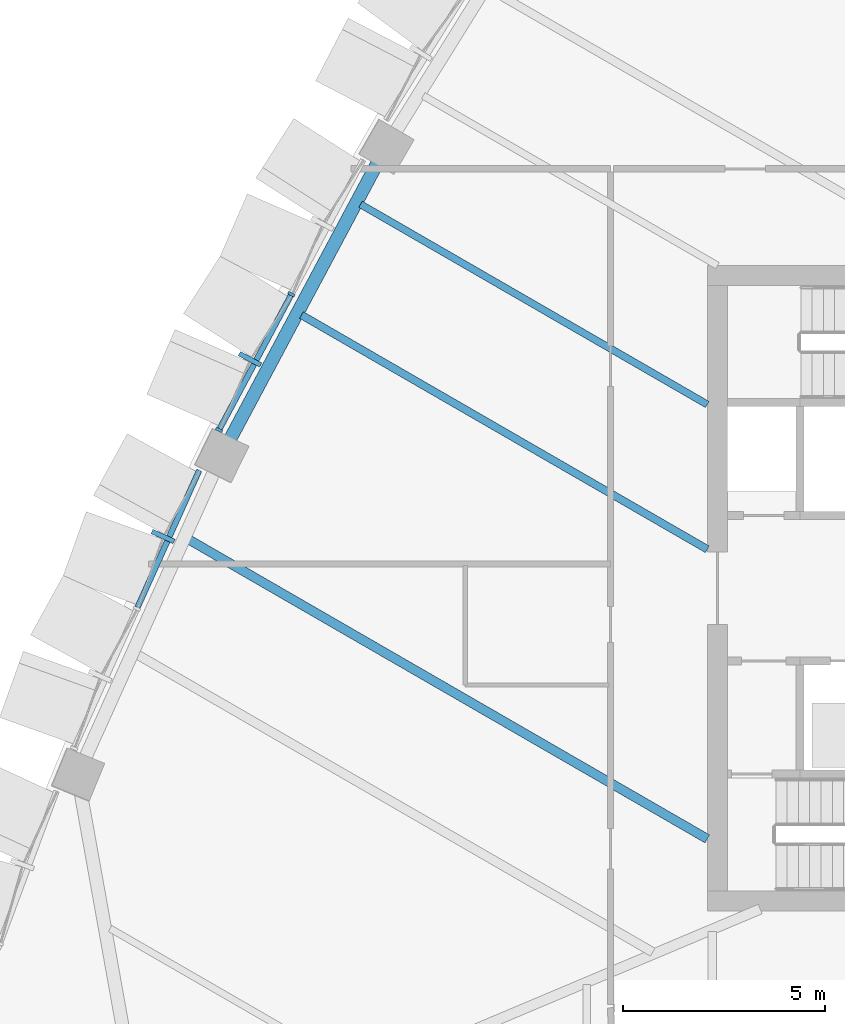
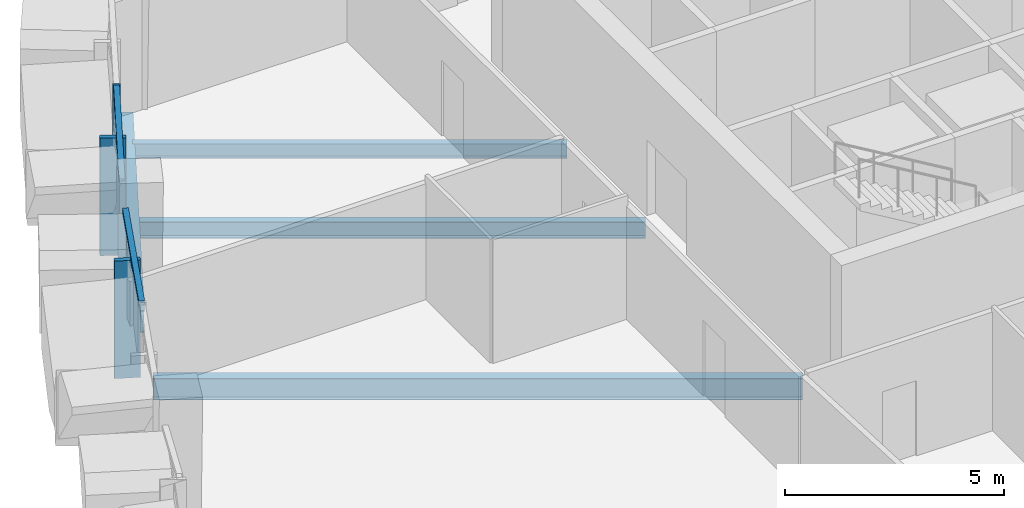
# One storey, part 3 of 18: 6 members, 4 beams, 2 elements without a shape of their own.
"""IFC4 building model written with IfcOpenShell, lengths in metres."""

from ifc_helpers import new_model, si_unit, direction, frame, origin, origin_2d, place, context, subcontext, project, spatial, rectangle, i_section, extrude, material, layer, layer_set, material_profile, profile_set, type_object, element, aggregate, save


model = new_model("IFC4")

# Units and contexts
model_context = context("Model", 3, precision=1e-05, world=origin(), true_north=direction((0.0, 1.0)))
body_context = subcontext(model_context, "Body", "Model", "MODEL_VIEW")
ifc_project = project(units=[si_unit("LENGTHUNIT", "METRE"), si_unit("AREAUNIT", "SQUARE_METRE"), si_unit("VOLUMEUNIT", "CUBIC_METRE"), si_unit("PLANEANGLEUNIT", "RADIAN"), si_unit("MASSUNIT", "GRAM", prefix="KILO")], contexts=[model_context])

# Site, building, storey
site_placement = place(None, origin())
site = spatial("IfcSite", under=ifc_project, at=site_placement, CompositionType="ELEMENT")
building_placement = place(site_placement, origin())
building = spatial("IfcBuilding", under=site, at=building_placement, Name="Sierra Prisma Convention Tower", CompositionType="ELEMENT")
storey_placement = place(building_placement, frame((0.0, 0.0, 133.800048828125)))
storey = spatial("IfcBuildingStorey", under=building, at=storey_placement, Name="L28", CompositionType="ELEMENT", Elevation=133.800048828125)

# Curtain wall, member
ifc_material_1 = material(Name="Aluminium and glass curtain wall", Category="aluminium")
ifc_layer = layer(ifc_material_1, 0.179931640625)
ifc_layer_set = layer_set([ifc_layer], Name="CW-2 Faceted crystal curtain wall")
curtain_wall_type = type_object("IfcCurtainWallType", Name="CW-2 Faceted crystal curtain wall", PredefinedType="NOTDEFINED", material=ifc_layer_set)
curtain_wall_1_placement = place(storey_placement, origin())
curtain_wall_1 = element("IfcCurtainWall", 1, at=curtain_wall_1_placement, inside=storey, type_object=curtain_wall_type, Name="CW-2 NW4 L28", PredefinedType="NOTDEFINED")
ifc_material_2 = material(Name="Aluminium 6063-T6 bronze anodised", Category="aluminium")
ifc_material_profile_1 = material_profile(ifc_material_2, rectangle(XDim=0.1201171875, YDim=0.60009765625, at=origin_2d()), Name="ALU RIDGE BLADE 120x600")
ifc_profile_set_1 = profile_set([ifc_material_profile_1], Name="Aluminium 6063-T6 bronze anodised")
member_type_1 = type_object("IfcMemberType", Name="CW hip bronze", PredefinedType="MULLION", material=ifc_profile_set_1)
member_1_placement = place(storey_placement, frame((-22.3369140625, 5.67578125, 0.0), z_axis=(0.0, 0.0, 1.0), x_axis=(-0.470728465167, -0.882278137597, 0.0)))
member_1 = element("IfcMember", 2, at=member_1_placement, type_object=member_type_1, Name="CW-2 ridge NW4.2", PredefinedType="MULLION", context=body_context, shape_type="SweptSolid", body=[
    extrude(rectangle(XDim=0.1201171875, YDim=0.60009765625, at=origin_2d()), origin(), (0.0, 0.0, 1.0), 3.280029296875),
])

curtain_wall_2_placement = place(storey_placement, origin())
curtain_wall_2 = element("IfcCurtainWall", 3, at=curtain_wall_2_placement, inside=storey, type_object=curtain_wall_type, Name="CW-2 NW5 L28", PredefinedType="NOTDEFINED")
member_2_placement = place(storey_placement, frame((-24.494140625, 1.284423828125, 0.0), z_axis=(0.0, 0.0, 1.0), x_axis=(-0.410635776362, -0.911799462147, 0.0)))
member_2 = element("IfcMember", 4, at=member_2_placement, type_object=member_type_1, Name="CW-2 ridge NW5.1", PredefinedType="MULLION", context=body_context, shape_type="SweptSolid", body=[
    extrude(rectangle(XDim=0.1201171875, YDim=0.60009765625, at=origin_2d()), origin(), (0.0, 0.0, 1.0), 3.280029296875),
])

# Member
ifc_material_3 = material(Name="Aluminium 6063-T6 bronze anodised", Category="aluminium")
ifc_material_profile_2 = material_profile(ifc_material_3, rectangle(XDim=0.179931640625, YDim=0.070068359375, at=origin_2d()), Name="ALU MULLION 70x180")
ifc_profile_set_2 = profile_set([ifc_material_profile_2], Name="Aluminium 6063-T6 bronze anodised")
member_type_2 = type_object("IfcMemberType", Name="CW mullion bronze", PredefinedType="MULLION", material=ifc_profile_set_2)
member_3_placement = place(storey_placement, frame((-21.309814453125, 7.28759765625, 0.0), z_axis=(0.0, 0.0, 1.0), x_axis=(0.882278137597, -0.470728465167, 0.0)))
member_3 = element("IfcMember", 5, at=member_3_placement, type_object=member_type_2, Name="CW-1 mullion NW4.2", PredefinedType="MULLION", context=body_context, shape_type="SweptSolid", body=[
    extrude(rectangle(XDim=0.179931640625, YDim=0.070068359375, at=origin_2d()), origin(), (0.0, 0.0, 1.0), 3.39990234375),
])

member_4_placement = place(storey_placement, frame((-23.10400390625, 3.92529296875, 0.0), z_axis=(0.0, 0.0, 1.0), x_axis=(0.882278137597, -0.470728465167, 0.0)))
member_4 = element("IfcMember", 6, at=member_4_placement, type_object=member_type_2, Name="CW-1 mullion NW4.3", PredefinedType="MULLION", context=body_context, shape_type="SweptSolid", body=[
    extrude(rectangle(XDim=0.179931640625, YDim=0.070068359375, at=origin_2d()), origin(), (0.0, 0.0, 1.0), 3.39990234375),
])

ifc_material_4 = material(Name="Aluminium 6063-T6 bronze anodised", Category="aluminium")
ifc_material_profile_3 = material_profile(ifc_material_4, rectangle(XDim=0.139892578125, YDim=0.1201171875, at=origin_2d()), Name="ALU TRANSOM 120x140")
ifc_profile_set_3 = profile_set([ifc_material_profile_3], Name="Aluminium 6063-T6 bronze anodised")
member_type_3 = type_object("IfcMemberType", Name="CW transom bronze", PredefinedType="USERDEFINED", material=ifc_profile_set_3)
member_5_placement = place(storey_placement, frame((-21.326416015625, 7.2568359375, 3.33984375), z_axis=(-0.470706779525, -0.882289707358, 0.0), x_axis=(0.882289707358, -0.470706779525, 0.0)))
member_5 = element("IfcMember", 7, at=member_5_placement, type_object=member_type_3, Name="CW-1 transom NW4.2", ObjectType="TRANSOM", PredefinedType="USERDEFINED", context=body_context, shape_type="SweptSolid", body=[
    extrude(rectangle(XDim=0.139892578125, YDim=0.1201171875, at=origin_2d()), origin(), (0.0, 0.0, 1.0), 3.7412109375),
])

aggregate(curtain_wall_1, [member_3, member_4, member_5, member_1])

member_6_placement = place(storey_placement, frame((-23.595703125, 2.92236328125, 3.33984375), z_axis=(-0.410669869005, -0.911784107501, 0.0), x_axis=(0.911784107501, -0.410669869005, 0.0)))
member_6 = element("IfcMember", 8, at=member_6_placement, type_object=member_type_3, Name="CW-1 transom NW5.1", ObjectType="TRANSOM", PredefinedType="USERDEFINED", context=body_context, shape_type="SweptSolid", body=[
    extrude(rectangle(XDim=0.139892578125, YDim=0.1201171875, at=origin_2d()), origin(), (0.0, 0.0, 1.0), 3.72509765625),
])

aggregate(curtain_wall_2, [member_6, member_2])

# Beams
ifc_material_5 = material(Name="Steel ASTM A992 Gr 50", Category="steel")
ifc_material_profile_4 = material_profile(ifc_material_5, i_section(OverallWidth=0.177978515625, OverallDepth=0.406982421875, WebThickness=0.0078125, FlangeThickness=0.0126953125, at=origin_2d()), Name="W410x60")
ifc_profile_set_4 = profile_set([ifc_material_profile_4], Name="Steel ASTM A992 Gr 50")
beam_type_1 = type_object("IfcBeamType", Name="Floor joist W410x60", PredefinedType="JOIST", material=ifc_profile_set_4)
beam_1_placement = place(storey_placement, frame((-19.595703125, 9.5185546875, -0.353515625), z_axis=(0.866029113277, -0.499993574915, 0.0), x_axis=(0.499993574915, 0.866029113277, 0.0)))
element("IfcBeam", 9, at=beam_1_placement, inside=storey, type_object=beam_type_1, Name="Floor joist L28 NW09", PredefinedType="JOIST", context=body_context, shape_type="SweptSolid", body=[
    extrude(i_section(OverallWidth=0.177978515625, OverallDepth=0.406982421875, WebThickness=0.0078125, FlangeThickness=0.0126953125, at=origin_2d()), origin(), (0.0, 0.0, 1.0), 9.925537109375),
])
ifc_material_6 = material(Name="Steel ASTM A992 Gr 50", Category="steel")
ifc_material_profile_5 = material_profile(ifc_material_6, i_section(OverallWidth=0.18994140625, OverallDepth=0.45703125, WebThickness=0.009033203125, FlangeThickness=0.014404296875, at=origin_2d()), Name="W460x74")
ifc_profile_set_5 = profile_set([ifc_material_profile_5], Name="Steel ASTM A992 Gr 50")
beam_type_2 = type_object("IfcBeamType", Name="Floor joist W460x74", PredefinedType="JOIST", material=ifc_profile_set_5)
beam_2_placement = place(storey_placement, frame((-21.059814453125, 6.774169921875, -0.378662109375), z_axis=(0.866031936723, -0.499988684448, 0.0), x_axis=(0.499988684448, 0.866031936723, 0.0)))
element("IfcBeam", 10, at=beam_2_placement, inside=storey, type_object=beam_type_2, Name="Floor joist L28 NW10", PredefinedType="JOIST", context=body_context, shape_type="SweptSolid", body=[
    extrude(i_section(OverallWidth=0.18994140625, OverallDepth=0.45703125, WebThickness=0.009033203125, FlangeThickness=0.014404296875, at=origin_2d()), origin(), (0.0, 0.0, 1.0), 11.615966796875),
])
ifc_material_7 = material(Name="Steel ASTM A992 Gr 50", Category="steel")
ifc_material_profile_6 = material_profile(ifc_material_7, i_section(OverallWidth=0.22802734375, OverallDepth=0.60302734375, WebThickness=0.010498046875, FlangeThickness=0.014892578125, at=origin_2d()), Name="W610x101")
ifc_profile_set_6 = profile_set([ifc_material_profile_6], Name="Steel ASTM A992 Gr 50")
beam_type_3 = type_object("IfcBeamType", Name="Floor joist W610x101", PredefinedType="JOIST", material=ifc_profile_set_6)
beam_3_placement = place(storey_placement, frame((-23.859375, 1.2109375, -0.45166015625), z_axis=(0.86602678055, -0.499997615365, 0.0), x_axis=(0.499997615365, 0.86602678055, 0.0)))
element("IfcBeam", 11, at=beam_3_placement, inside=storey, type_object=beam_type_3, Name="Floor joist L28 NW12", PredefinedType="JOIST", context=body_context, shape_type="SweptSolid", body=[
    extrude(i_section(OverallWidth=0.22802734375, OverallDepth=0.60302734375, WebThickness=0.010498046875, FlangeThickness=0.014892578125, at=origin_2d()), origin(), (0.0, 0.0, 1.0), 14.8486328125),
])
ifc_material_8 = material(Name="Steel ASTM A992 Gr 50", Category="steel")
ifc_material_profile_7 = material_profile(ifc_material_8, i_section(OverallWidth=0.324951171875, OverallDepth=0.615966796875, WebThickness=0.013916015625, FlangeThickness=0.021484375, at=origin_2d()), Name="W610x174")
ifc_profile_set_7 = profile_set([ifc_material_profile_7], Name="Steel ASTM A992 Gr 50")
beam_type_4 = type_object("IfcBeamType", Name="Spandrel beam W610x174", PredefinedType="BEAM", material=ifc_profile_set_7)
beam_4_placement = place(storey_placement, frame((-19.139892578125, 10.611572265625, -0.4580078125), z_axis=(-0.47075300515, -0.882265044157, 0.0), x_axis=(0.882265044157, -0.47075300515, 0.0)))
element("IfcBeam", 12, at=beam_4_placement, inside=storey, type_object=beam_type_4, Name="Spandrel L28-16", PredefinedType="BEAM", context=body_context, shape_type="SweptSolid", body=[
    extrude(i_section(OverallWidth=0.324951171875, OverallDepth=0.615966796875, WebThickness=0.013916015625, FlangeThickness=0.021484375, at=origin_2d()), origin(), (0.0, 0.0, 1.0), 7.9208984375),
])

save(model, "model.ifc")
